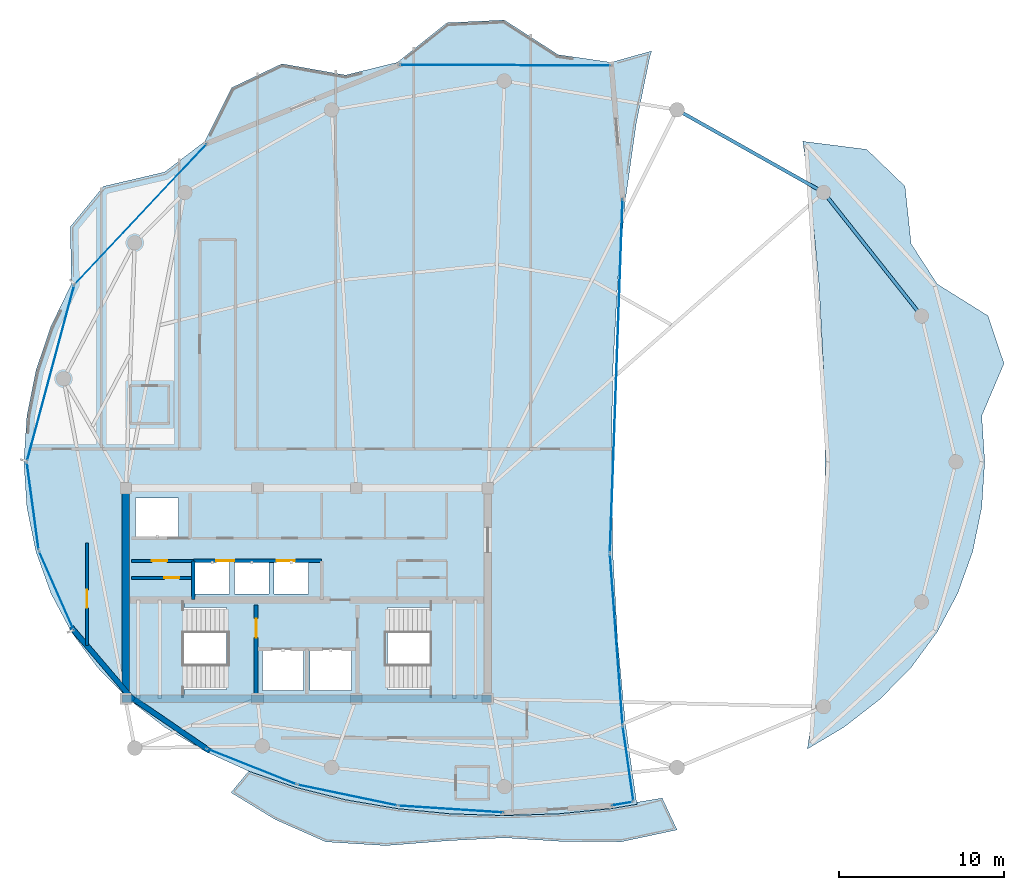
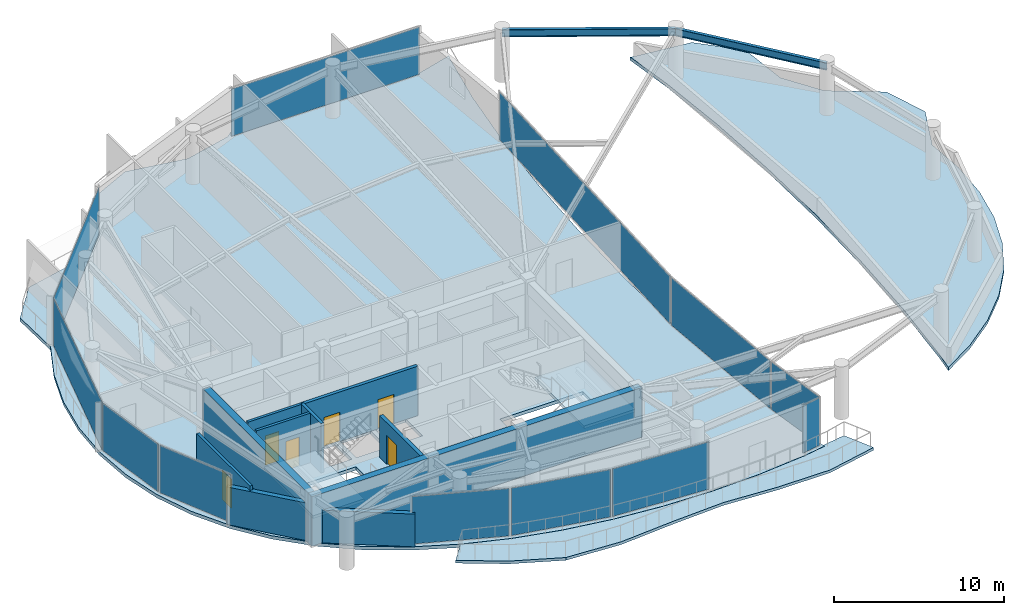
# One storey, part 18 of 23: 12 plates, 10 walls, 6 doors, 5 slabs, 2 beams, 6 openings, 14 elements without a shape of their own.
"""IFC4 building model written with IfcOpenShell, lengths in metres."""

from ifc_helpers import new_model, si_unit, direction, frame, frame_2d, origin, origin_2d, place, context, subcontext, project, spatial, polyline, rectangle, i_section, outline, extrude, material, layer, layer_set, material_profile, profile_set, type_object, element, fill, aggregate, save


model = new_model("IFC4")

# Units and contexts
model_context = context("Model", 3, precision=1e-05, world=origin(), true_north=direction((0.0, 1.0)))
body_context = subcontext(model_context, "Body", "Model", "MODEL_VIEW")
ifc_project = project(units=[si_unit("LENGTHUNIT", "METRE"), si_unit("AREAUNIT", "SQUARE_METRE"), si_unit("VOLUMEUNIT", "CUBIC_METRE"), si_unit("PLANEANGLEUNIT", "RADIAN"), si_unit("MASSUNIT", "GRAM", prefix="KILO")], contexts=[model_context])

# Site, building, storey
site_placement = place(None, origin())
site = spatial("IfcSite", under=ifc_project, at=site_placement, CompositionType="ELEMENT")
building_placement = place(site_placement, origin())
building = spatial("IfcBuilding", under=site, at=building_placement, Name="Kazevale Care Tower and Concert Hall", CompositionType="ELEMENT")
storey_placement = place(building_placement, frame((0.0, 0.0, 266.199951171875)))
storey = spatial("IfcBuildingStorey", under=building, at=storey_placement, Name="L70", CompositionType="ELEMENT", Elevation=266.199951171875)

# Beams
ifc_material_1 = material(Name="Steel ASTM A572 Gr 50", Category="steel")
ifc_material_profile = material_profile(ifc_material_1, i_section(OverallWidth=0.208984375, OverallDepth=0.532958984375, WebThickness=0.01025390625, FlangeThickness=0.015625, at=origin_2d()), Name="W530x92")
ifc_profile_set = profile_set([ifc_material_profile], Name="Steel ASTM A572 Gr 50")
beam_type = type_object("IfcBeamType", Name="Upper Ring Beam W530x92", PredefinedType="BEAM", material=ifc_profile_set)
beam_1_placement = place(storey_placement, frame((70.360107421875, 46.860107421875, 3.29345703125), z_axis=(-0.621008988522, 0.783803442308, 0.0), x_axis=(-0.783803442308, -0.621008988522, 0.0)))
element("IfcBeam", 1, at=beam_1_placement, inside=storey, type_object=beam_type, Name="beam:L70:ring:02", PredefinedType="BEAM", context=body_context, shape_type="SweptSolid", body=[
    extrude(i_section(OverallWidth=0.208984375, OverallDepth=0.532958984375, WebThickness=0.01025390625, FlangeThickness=0.015625, at=origin_2d()), origin(), (0.0, 0.0, 1.0), 9.58154296875),
])
beam_2_placement = place(storey_placement, frame((64.409912109375, 54.3701171875, 3.29345703125), z_axis=(-0.871243170179, 0.490851646035, 0.0), x_axis=(-0.490851646035, -0.871243170179, 0.0)))
element("IfcBeam", 2, at=beam_2_placement, inside=storey, type_object=beam_type, Name="beam:L70:ring:03", PredefinedType="BEAM", context=body_context, shape_type="SweptSolid", body=[
    extrude(i_section(OverallWidth=0.208984375, OverallDepth=0.532958984375, WebThickness=0.01025390625, FlangeThickness=0.015625, at=origin_2d()), origin(), (0.0, 0.0, 1.0), 10.2265625),
])

# Curtain wall, plate
ifc_material_2 = material(Name="Aluminium 6063-T6 and Low-E Glass", Category="aluminium")
ifc_layer_1 = layer(ifc_material_2, 0.179931640625)
ifc_layer_set_1 = layer_set([ifc_layer_1], Name="Aluminium 6063-T6 and Low-E Glass")
curtain_wall_type_1 = type_object("IfcCurtainWallType", Name="Convex Checkerboard Finned Curtain Wall CW-2", PredefinedType="NOTDEFINED", material=ifc_layer_set_1)
curtain_wall_1_placement = place(storey_placement, origin())
curtain_wall_1 = element("IfcCurtainWall", 3, at=curtain_wall_1_placement, inside=storey, type_object=curtain_wall_type_1, Name="cw:L70:f10", PredefinedType="NOTDEFINED")
ifc_material_3 = material(Name="Low-E Laminated Glass", Category="glass")
ifc_layer_2 = layer(ifc_material_3, 0.028076171875)
ifc_layer_set_2 = layer_set([ifc_layer_2], Name="Low-E Laminated Glass")
plate_type_1 = type_object("IfcPlateType", Name="CW-2 Low-E Glazing Panel 28mm", PredefinedType="CURTAIN_PANEL", material=ifc_layer_set_2)
plate_1_placement = place(storey_placement, frame((22.904541015625, 53.056884765625, 0.0751953125), z_axis=(0.0, 0.0, 1.0), x_axis=(0.684556549777, 0.728959758943, 0.0)))
plate_1 = element("IfcPlate", 4, at=plate_1_placement, type_object=plate_type_1, Name="CW-2 panel 1.1", PredefinedType="CURTAIN_PANEL", context=body_context, shape_type="SweptSolid", body=[
    extrude(rectangle(XDim=11.618408203125, YDim=0.028076171875, at=origin_2d()), origin(), (0.0, 0.0, 1.0), 3.409912109375),
])
aggregate(curtain_wall_1, [plate_1])

ifc_layer_3 = layer(ifc_material_2, 0.179931640625)
ifc_layer_set_3 = layer_set([ifc_layer_3], Name="Aluminium 6063-T6 and Low-E Glass")
curtain_wall_type_2 = type_object("IfcCurtainWallType", Name="Waist & Upper Residential Curtain Wall CW-4", PredefinedType="NOTDEFINED", material=ifc_layer_set_3)
curtain_wall_2_placement = place(storey_placement, origin())
curtain_wall_2 = element("IfcCurtainWall", 5, at=curtain_wall_2_placement, inside=storey, type_object=curtain_wall_type_2, Name="cw:L70:f07", PredefinedType="NOTDEFINED")
ifc_layer_4 = layer(ifc_material_3, 0.030029296875)
ifc_layer_set_4 = layer_set([ifc_layer_4], Name="Low-E Laminated Glass")
plate_type_2 = type_object("IfcPlateType", Name="CW-4 Low-E Glazing Panel 30mm", PredefinedType="CURTAIN_PANEL", material=ifc_layer_set_4)
plate_2_placement = place(storey_placement, frame((17.775390625, 30.175537109375, 0.080078125), z_axis=(0.0, 0.0, 1.0), x_axis=(-0.403598397488, 0.914936245618, 0.0)))
plate_2 = element("IfcPlate", 6, at=plate_2_placement, type_object=plate_type_2, Name="CW-4 panel 1.1", PredefinedType="CURTAIN_PANEL", context=body_context, shape_type="SweptSolid", body=[
    extrude(rectangle(XDim=5.139892578125, YDim=0.030029296875, at=origin_2d()), origin(), (0.0, 0.0, 1.0), 3.39990234375),
])
aggregate(curtain_wall_2, [plate_2])

curtain_wall_3_placement = place(storey_placement, origin())
curtain_wall_3 = element("IfcCurtainWall", 7, at=curtain_wall_3_placement, inside=storey, type_object=curtain_wall_type_2, Name="cw:L70:f08", PredefinedType="NOTDEFINED")
plate_3_placement = place(storey_placement, frame((16.343017578125, 35.300048828125, 0.080078125), z_axis=(0.0, 0.0, 1.0), x_axis=(-0.133245609751, 0.991083047722, 0.0)))
plate_3 = element("IfcPlate", 8, at=plate_3_placement, type_object=plate_type_2, Name="CW-4 panel 1.1", PredefinedType="CURTAIN_PANEL", context=body_context, shape_type="SweptSolid", body=[
    extrude(rectangle(XDim=5.28857421875, YDim=0.030029296875, at=origin_2d()), origin(), (0.0, 0.0, 1.0), 3.39990234375),
])
aggregate(curtain_wall_3, [plate_3])

curtain_wall_4_placement = place(storey_placement, origin())
curtain_wall_4 = element("IfcCurtainWall", 9, at=curtain_wall_4_placement, inside=storey, type_object=curtain_wall_type_2, Name="cw:L70:f09", PredefinedType="NOTDEFINED")
plate_4_placement = place(storey_placement, frame((17.426513671875, 43.382080078125, 0.080078125), z_axis=(0.0, 0.0, 1.0), x_axis=(0.259555175944, 0.965728279922, 0.0)))
plate_4 = element("IfcPlate", 10, at=plate_4_placement, type_object=plate_type_2, Name="CW-4 panel 1.1", PredefinedType="CURTAIN_PANEL", context=body_context, shape_type="SweptSolid", body=[
    extrude(rectangle(XDim=10.986083984375, YDim=0.030029296875, at=origin_2d()), origin(), (0.0, 0.0, 1.0), 3.39990234375),
])
aggregate(curtain_wall_4, [plate_4])

curtain_wall_5_placement = place(storey_placement, origin())
curtain_wall_5 = element("IfcCurtainWall", 11, at=curtain_wall_5_placement, inside=storey, type_object=curtain_wall_type_2, Name="cw:L70:f12", PredefinedType="NOTDEFINED")
plate_5_placement = place(storey_placement, frame((45.047119140625, 62.10107421875, 0.080078125), z_axis=(0.0, 0.0, 1.0), x_axis=(0.999999030415, -0.00139254081, 0.0)))
plate_5 = element("IfcPlate", 12, at=plate_5_placement, type_object=plate_type_2, Name="CW-4 panel 1.1", PredefinedType="CURTAIN_PANEL", context=body_context, shape_type="SweptSolid", body=[
    extrude(rectangle(XDim=12.76611328125, YDim=0.030029296875, at=origin_2d()), origin(), (0.0, 0.0, 1.0), 3.39990234375),
])
aggregate(curtain_wall_5, [plate_5])

curtain_wall_6_placement = place(storey_placement, origin())
curtain_wall_6 = element("IfcCurtainWall", 13, at=curtain_wall_6_placement, inside=storey, type_object=curtain_wall_type_2, Name="cw:L70:f14", PredefinedType="NOTDEFINED")
plate_6_placement = place(storey_placement, frame((51.805419921875, 43.22900390625, 0.080078125), z_axis=(0.0, 0.0, 1.0), x_axis=(-0.035790620226, -0.99935931051, 0.0)))
plate_6 = element("IfcPlate", 14, at=plate_6_placement, type_object=plate_type_2, Name="CW-4 panel 1.1", PredefinedType="CURTAIN_PANEL", context=body_context, shape_type="SweptSolid", body=[
    extrude(rectangle(XDim=21.437744140625, YDim=0.030029296875, at=origin_2d()), origin(), (0.0, 0.0, 1.0), 3.39990234375),
])
aggregate(curtain_wall_6, [plate_6])

ifc_layer_5 = layer(ifc_material_2, 0.179931640625)
ifc_layer_set_5 = layer_set([ifc_layer_5], Name="Aluminium 6063-T6 and Low-E Glass")
curtain_wall_type_3 = type_object("IfcCurtainWallType", Name="Sheltered Concave Balcony Curtain Wall CW-5", PredefinedType="NOTDEFINED", material=ifc_layer_set_5)
curtain_wall_7_placement = place(storey_placement, origin())
curtain_wall_7 = element("IfcCurtainWall", 15, at=curtain_wall_7_placement, inside=storey, type_object=curtain_wall_type_3, Name="cw:L70:f02", PredefinedType="NOTDEFINED")
ifc_layer_6 = layer(ifc_material_3, 0.02587890625)
ifc_layer_set_6 = layer_set([ifc_layer_6], Name="Low-E Laminated Glass")
plate_type_3 = type_object("IfcPlateType", Name="CW-5 Low-E Glazing Panel 26mm", PredefinedType="CURTAIN_PANEL", material=ifc_layer_set_6)
plate_7_placement = place(storey_placement, frame((41.762939453125, 16.89111328125, 0.0751953125), z_axis=(0.0, 0.0, 1.0), x_axis=(-0.997882281458, 0.065045771206, 0.0)))
plate_7 = element("IfcPlate", 16, at=plate_7_placement, type_object=plate_type_3, Name="CW-5 panel 1.1", PredefinedType="CURTAIN_PANEL", context=body_context, shape_type="SweptSolid", body=[
    extrude(rectangle(XDim=6.337646484375, YDim=0.02587890625, at=origin_2d()), origin(), (0.0, 0.0, 1.0), 3.409912109375),
])
aggregate(curtain_wall_7, [plate_7])

curtain_wall_8_placement = place(storey_placement, origin())
curtain_wall_8 = element("IfcCurtainWall", 17, at=curtain_wall_8_placement, inside=storey, type_object=curtain_wall_type_3, Name="cw:L70:f03", PredefinedType="NOTDEFINED")
plate_8_placement = place(storey_placement, frame((35.4541015625, 17.743896484375, 0.0751953125), z_axis=(0.0, 0.0, 1.0), x_axis=(-0.978852986472, 0.204564979592, 0.0)))
plate_8 = element("IfcPlate", 18, at=plate_8_placement, type_object=plate_type_3, Name="CW-5 panel 1.1", PredefinedType="CURTAIN_PANEL", context=body_context, shape_type="SweptSolid", body=[
    extrude(rectangle(XDim=6.126708984375, YDim=0.02587890625, at=origin_2d()), origin(), (0.0, 0.0, 1.0), 3.409912109375),
])
aggregate(curtain_wall_8, [plate_8])

curtain_wall_9_placement = place(storey_placement, origin())
curtain_wall_9 = element("IfcCurtainWall", 19, at=curtain_wall_9_placement, inside=storey, type_object=curtain_wall_type_3, Name="cw:L70:f04", PredefinedType="NOTDEFINED")
plate_9_placement = place(storey_placement, frame((29.6298828125, 19.48046875, 0.0751953125), z_axis=(0.0, 0.0, 1.0), x_axis=(-0.929208392028, 0.369556171894, 0.0)))
plate_9 = element("IfcPlate", 20, at=plate_9_placement, type_object=plate_type_3, Name="CW-5 panel 1.1", PredefinedType="CURTAIN_PANEL", context=body_context, shape_type="SweptSolid", body=[
    extrude(rectangle(XDim=5.7734375, YDim=0.02587890625, at=origin_2d()), origin(), (0.0, 0.0, 1.0), 3.409912109375),
])
aggregate(curtain_wall_9, [plate_9])

curtain_wall_10_placement = place(storey_placement, origin())
curtain_wall_10 = element("IfcCurtainWall", 21, at=curtain_wall_10_placement, inside=storey, type_object=curtain_wall_type_3, Name="cw:L70:f15", PredefinedType="NOTDEFINED")
plate_10_placement = place(storey_placement, frame((51.805419921875, 27.2080078125, 0.0751953125), z_axis=(0.0, 0.0, 1.0), x_axis=(0.07371361784, -0.997279450578, 0.0)))
plate_10 = element("IfcPlate", 22, at=plate_10_placement, type_object=plate_type_3, Name="CW-5 panel 1.1", PredefinedType="CURTAIN_PANEL", context=body_context, shape_type="SweptSolid", body=[
    extrude(rectangle(XDim=10.33642578125, YDim=0.02587890625, at=origin_2d()), origin(), (0.0, 0.0, 1.0), 3.409912109375),
])
aggregate(curtain_wall_10, [plate_10])

curtain_wall_11_placement = place(storey_placement, origin())
curtain_wall_11 = element("IfcCurtainWall", 23, at=curtain_wall_11_placement, inside=storey, type_object=curtain_wall_type_3, Name="cw:L70:f16", PredefinedType="NOTDEFINED")
plate_11_placement = place(storey_placement, frame((52.52392578125, 19.657470703125, 0.0751953125), z_axis=(0.0, 0.0, 1.0), x_axis=(0.141570600748, -0.989928161537, 0.0)))
plate_11 = element("IfcPlate", 24, at=plate_11_placement, type_object=plate_type_3, Name="CW-5 panel 1.1", PredefinedType="CURTAIN_PANEL", context=body_context, shape_type="SweptSolid", body=[
    extrude(rectangle(XDim=4.540283203125, YDim=0.02587890625, at=origin_2d()), origin(), (0.0, 0.0, 1.0), 3.409912109375),
])
aggregate(curtain_wall_11, [plate_11])

curtain_wall_12_placement = place(storey_placement, origin())
curtain_wall_12 = element("IfcCurtainWall", 25, at=curtain_wall_12_placement, inside=storey, type_object=curtain_wall_type_3, Name="cw:L70:f17", PredefinedType="NOTDEFINED")
plate_12_placement = place(storey_placement, frame((52.1650390625, 17.218994140625, 0.0751953125), z_axis=(0.0, 0.0, 1.0), x_axis=(-0.985966435781, -0.166943665686, 0.0)))
plate_12 = element("IfcPlate", 26, at=plate_12_placement, type_object=plate_type_3, Name="CW-5 panel 1.1", PredefinedType="CURTAIN_PANEL", context=body_context, shape_type="SweptSolid", body=[
    extrude(rectangle(XDim=1.251708984375, YDim=0.02587890625, at=origin_2d()), origin(), (0.0, 0.0, 1.0), 3.409912109375),
])
aggregate(curtain_wall_12, [plate_12])

# Slab
ifc_material_4 = material(Name="Concrete C40", Category="concrete")
ifc_layer_7 = layer(ifc_material_4, 0.199951171875)
ifc_layer_set_7 = layer_set([ifc_layer_7], Name="Concrete C40")
slab_type_1 = type_object("IfcSlabType", Name="Sinusoidal Concave Balcony Slab 200", PredefinedType="USERDEFINED", material=ifc_layer_set_7)
slab_1_placement = place(storey_placement, frame((0.0, 0.0, -0.199951171875)))
element("IfcSlab", 27, at=slab_1_placement, inside=storey, type_object=slab_type_1, Name="slab:L70:bal", ObjectType="BALCONY", PredefinedType="USERDEFINED", context=body_context, shape_type="SweptSolid", body=[
    extrude(outline(polyline([(54.593017578125, 17.56591796875), (55.501708984375, 15.630615234375), (52.119384765625, 14.906494140625), (48.5263671875, 14.923828125), (45.0, 15.149658203125), (41.4794921875, 14.96240234375), (37.80859375, 14.672607421875), (34.15625, 14.901611328125), (31.07861328125, 16.257568359375), (28.389892578125, 17.896240234375), (29.46142578125, 19.193115234375), (29.462890625, 19.192626953125), (32.3291015625, 18.208251953125), (35.35498046875, 17.452392578125), (38.501708984375, 16.918212890625), (41.730224609375, 16.6005859375), (45.0, 16.4951171875), (48.269775390625, 16.6005859375), (51.498291015625, 16.918212890625), (53.075439453125, 17.185791015625), (53.05126953125, 17.305908203125), (54.593017578125, 17.56591796875)])), origin(), (0.0, 0.0, 1.0), 0.199951171875),
])

# Stair, slab
stair_type = type_object("IfcStairType", Name="Exit Stair Assembly ST1-U", PredefinedType="HALF_TURN_STAIR", material=ifc_material_4)
stair_1_placement = place(storey_placement, origin())
stair_1 = element("IfcStair", 28, at=stair_1_placement, inside=storey, type_object=stair_type, Name="stair:L70:ST1", PredefinedType="HALF_TURN_STAIR")
ifc_layer_8 = layer(ifc_material_4, 0.199951171875)
ifc_layer_set_8 = layer_set([ifc_layer_8], Name="Concrete C40")
slab_type_2 = type_object("IfcSlabType", Name="Stair Half-Landing Slab ST1-U", PredefinedType="LANDING", material=ifc_layer_set_8)
slab_2_placement = place(storey_placement, frame((0.0, 0.0, 1.699951171875)))
slab_2 = element("IfcSlab", 29, at=slab_2_placement, type_object=slab_type_2, Name="ST1-U landing 1", PredefinedType="LANDING", context=body_context, shape_type="SweptSolid", body=[
    extrude(outline(polyline([(22.050048828125, 23.699951171875), (25.530029296875, 23.699951171875), (25.530029296875, 29.5), (22.050048828125, 29.5), (22.050048828125, 23.699951171875)])), origin(), (0.0, 0.0, 1.0), 0.2001953125),
])
aggregate(stair_1, [slab_2])

stair_2_placement = place(storey_placement, origin())
stair_2 = element("IfcStair", 30, at=stair_2_placement, inside=storey, type_object=stair_type, Name="stair:L70:ST2", PredefinedType="HALF_TURN_STAIR")
slab_3_placement = place(storey_placement, frame((0.0, 0.0, 1.699951171875)))
slab_3 = element("IfcSlab", 31, at=slab_3_placement, type_object=slab_type_2, Name="ST1-U landing 1", PredefinedType="LANDING", context=body_context, shape_type="SweptSolid", body=[
    extrude(outline(polyline([(40.469970703125, 23.699951171875), (43.949951171875, 23.699951171875), (43.949951171875, 29.5), (40.469970703125, 29.5), (40.469970703125, 23.699951171875)])), origin(), (0.0, 0.0, 1.0), 0.2001953125),
])
aggregate(stair_2, [slab_3])

# Slabs
ifc_layer_9 = layer(ifc_material_4, 0.239990234375)
ifc_layer_set_9 = layer_set([ifc_layer_9], Name="Concrete C40")
slab_type_3 = type_object("IfcSlabType", Name="Tower Typical Floor Slab 240", PredefinedType="FLOOR", material=ifc_layer_set_9)
slab_4_placement = place(storey_placement, frame((0.0, 0.0, -0.239990234375)))
element("IfcSlab", 32, at=slab_4_placement, inside=storey, type_object=slab_type_3, Name="slab:L70:tw:1", PredefinedType="FLOOR", context=body_context, shape_type="SweptSolid", body=[
    extrude(outline(polyline([(51.49755859375, 16.92333984375), (48.269287109375, 16.60546875), (45.0, 16.5), (41.730712890625, 16.60546875), (38.50244140625, 16.92333984375), (35.35595703125, 17.457275390625), (32.33056640625, 18.212890625), (29.464599609375, 19.197265625), (26.794189453125, 20.415771484375), (24.3525390625, 21.873046875), (22.17041015625, 23.569091796875), (20.275634765625, 25.5), (18.691650390625, 27.654541015625), (17.438720703125, 30.01416015625), (16.531982421875, 32.551513671875), (15.983642578125, 35.229736328125), (15.800048828125, 38.0), (15.983642578125, 40.787841796875), (16.531982421875, 43.540771484375), (17.438720703125, 46.223876953125), (18.691650390625, 48.8037109375), (18.62451171875, 52.28515625), (20.64599609375, 54.74072265625), (24.3525390625, 55.60693359375), (26.794189453125, 57.467529296875), (28.42724609375, 60.734619140625), (31.484619140625, 62.19091796875), (35.35595703125, 61.502685546875), (38.50244140625, 62.275634765625), (41.51220703125, 64.68115234375), (45.0, 64.85009765625), (48.269287109375, 62.743408203125), (51.49755859375, 62.275634765625), (53.95361328125, 62.96728515625), (53.822021484375, 62.513427734375), (53.020751953125, 58.569091796875), (52.370849609375, 54.0), (51.89208984375, 48.944580078125), (51.5986328125, 43.556640625), (51.5, 38.0), (51.5986328125, 32.443359375), (51.89208984375, 27.055419921875), (52.370849609375, 22.0), (53.020751953125, 17.430908203125), (53.069580078125, 17.18994140625), (51.49755859375, 16.92333984375)]), holes=[polyline([(22.449951171875, 24.14990234375), (28.110107421875, 24.14990234375), (28.110107421875, 29.14990234375), (22.449951171875, 29.14990234375), (22.449951171875, 24.14990234375)]), polyline([(37.889892578125, 24.14990234375), (43.550048828125, 24.14990234375), (43.550048828125, 29.14990234375), (37.889892578125, 29.14990234375), (37.889892578125, 24.14990234375)]), polyline([(30.300048828125, 24.10009765625), (32.800048828125, 24.10009765625), (32.800048828125, 26.60009765625), (30.300048828125, 26.60009765625), (30.300048828125, 24.10009765625)]), polyline([(33.199951171875, 24.10009765625), (35.699951171875, 24.10009765625), (35.699951171875, 26.60009765625), (33.199951171875, 26.60009765625), (33.199951171875, 24.10009765625)]), polyline([(22.60009765625, 33.39990234375), (25.199951171875, 33.39990234375), (25.199951171875, 35.800048828125), (22.60009765625, 35.800048828125), (22.60009765625, 33.39990234375)]), polyline([(26.199951171875, 29.949951171875), (28.300048828125, 29.949951171875), (28.300048828125, 31.949951171875), (26.199951171875, 31.949951171875), (26.199951171875, 29.949951171875)]), polyline([(28.60009765625, 29.949951171875), (30.699951171875, 29.949951171875), (30.699951171875, 31.949951171875), (28.60009765625, 31.949951171875), (28.60009765625, 29.949951171875)]), polyline([(31.0, 29.949951171875), (33.10009765625, 29.949951171875), (33.10009765625, 31.949951171875), (31.0, 31.949951171875), (31.0, 29.949951171875)])]), origin(), (0.0, 0.0, 1.0), 0.239990234375),
])
slab_5_placement = place(storey_placement, frame((0.0, 0.0, -0.239990234375)))
element("IfcSlab", 33, at=slab_5_placement, inside=storey, type_object=slab_type_3, Name="slab:L70:tw:2", PredefinedType="FLOOR", context=body_context, shape_type="SweptSolid", body=[
    extrude(outline(polyline([(63.205810546875, 57.467529296875), (67.0263671875, 56.98583984375), (69.35400390625, 54.74072265625), (69.724365234375, 51.24755859375), (71.308349609375, 48.8037109375), (74.402099609375, 46.867919921875), (75.368896484375, 43.974609375), (74.016357421875, 40.787841796875), (74.199951171875, 38.0), (74.016357421875, 35.229736328125), (73.468017578125, 32.551513671875), (72.561279296875, 30.01416015625), (71.308349609375, 27.654541015625), (69.724365234375, 25.5), (67.82958984375, 23.569091796875), (65.6474609375, 21.873046875), (63.422119140625, 20.544921875), (63.629150390625, 22.0), (64.10791015625, 27.055419921875), (64.4013671875, 32.443359375), (64.5, 38.0), (64.4013671875, 43.556640625), (64.10791015625, 48.944580078125), (63.629150390625, 54.0), (63.12939453125, 57.513916015625), (63.205810546875, 57.467529296875)])), origin(), (0.0, 0.0, 1.0), 0.239990234375),
])

# Walls
ifc_material_5 = material(Name="Concrete C50", Category="concrete")
ifc_layer_10 = layer(ifc_material_5, 0.449951171875)
ifc_layer_set_10 = layer_set([ifc_layer_10], Name="Concrete C50")
wall_type_1 = type_object("IfcWallType", Name="Core Shear Wall 450 C50", PredefinedType="SHEAR", material=ifc_layer_set_10)
wall_1_placement = place(storey_placement, frame((21.77490234375, 23.60009765625, 0.0), z_axis=(0.0, 0.0, 1.0), x_axis=(1.0, 0.0, 0.0)))
element("IfcWall", 34, at=wall_1_placement, inside=storey, type_object=wall_type_1, Name="wall:L70:core:S", PredefinedType="SHEAR", context=body_context, shape_type="SweptSolid", body=[
    extrude(rectangle(XDim=22.4501953125, YDim=0.449951171875, at=frame_2d((11.22509765625, 0.0))), origin(), (0.0, 0.0, 1.0), 3.56005859375),
])
wall_2_placement = place(storey_placement, frame((22.0, 23.824951171875, 0.0), z_axis=(0.0, 0.0, 1.0), x_axis=(0.0, 1.0, 0.0)))
element("IfcWall", 35, at=wall_2_placement, inside=storey, type_object=wall_type_1, Name="wall:L70:core:W", PredefinedType="SHEAR", context=body_context, shape_type="SweptSolid", body=[
    extrude(rectangle(XDim=12.35009765625, YDim=0.449951171875, at=frame_2d((6.175048828125, 0.0))), origin(), (0.0, 0.0, 1.0), 3.56005859375),
])
ifc_layer_11 = layer(ifc_material_4, 0.219970703125)
ifc_layer_set_11 = layer_set([ifc_layer_11], Name="Concrete C40")
wall_type_2 = type_object("IfcWallType", Name="Elevator Hoistway Shaft Wall 220", PredefinedType="SOLIDWALL", material=ifc_layer_set_11)
wall_3_placement = place(storey_placement, frame((26.10009765625, 29.6201171875, 0.0), z_axis=(0.0, 0.0, 1.0), x_axis=(0.0, 1.0, 0.0)))
element("IfcWall", 36, at=wall_3_placement, inside=storey, type_object=wall_type_2, Name="wall:L70:c_ph_w", PredefinedType="SOLIDWALL", context=body_context, shape_type="SweptSolid", body=[
    extrude(rectangle(XDim=2.35986328125, YDim=0.219970703125, at=frame_2d((1.179931640625, 0.0))), origin(), (0.0, 0.0, 1.0), 3.56005859375),
])

# Wall, openings, doors
wall_4_placement = place(storey_placement, frame((26.10009765625, 31.97998046875, 0.0), z_axis=(0.0, 0.0, 1.0), x_axis=(1.0, 0.0, 0.0)))
wall_4 = element("IfcWall", 37, at=wall_4_placement, inside=storey, type_object=wall_type_2, Name="wall:L70:c_ph_n", PredefinedType="SOLIDWALL", context=body_context, shape_type="SweptSolid", body=[
    extrude(rectangle(XDim=7.7998046875, YDim=0.219970703125, at=frame_2d((3.89990234375, 0.0))), origin(), (0.0, 0.0, 1.0), 3.56005859375),
])
opening_1_placement = place(wall_4_placement, frame((1.39990234375, 0.0, 0.0)))
opening_1 = element("IfcOpeningElement", 38, at=opening_1_placement, cuts=wall_4, Name="Opening LD-PAX", PredefinedType="OPENING", context=body_context, shape_type="SweptSolid", body=[
    extrude(rectangle(XDim=1.10009765625, YDim=2.10009765625, at=frame_2d((0.550048828125, 1.050048828125))), frame((0.0, 0.119873046875, 0.0), z_axis=(0.0, -1.0, 0.0), x_axis=(1.0, 0.0, 0.0)), (0.0, 0.0, 1.0), 0.239990234375),
])
opening_2_placement = place(wall_4_placement, frame((5.06591796875, 0.0, 0.0)))
opening_2 = element("IfcOpeningElement", 39, at=opening_2_placement, cuts=wall_4, Name="Opening LD-PAX", PredefinedType="OPENING", context=body_context, shape_type="SweptSolid", body=[
    extrude(rectangle(XDim=1.10009765625, YDim=2.10009765625, at=frame_2d((0.550048828125, 1.050048828125))), frame((0.0, 0.119873046875, 0.0), z_axis=(0.0, -1.0, 0.0), x_axis=(1.0, 0.0, 0.0)), (0.0, 0.0, 1.0), 0.239990234375),
])
ifc_material_6 = material(Name="Stainless Steel 316", Category="steel")
door_type_1 = type_object("IfcDoorType", Name="Passenger Lift Sliding Landing Door 1100x2100", OperationType="NOTDEFINED", PredefinedType="DOOR", material=ifc_material_6)
door_1_placement = place(opening_1_placement, origin())
door_1 = element("IfcDoor", 40, at=door_1_placement, inside=storey, type_object=door_type_1, Name="door:L70:ld_ph1", OperationType="SLIDING_TO_LEFT", OverallHeight=2.10009765625, OverallWidth=1.10009765625, PredefinedType="DOOR", context=body_context, shape_type="SweptSolid", body=[
    extrude(rectangle(XDim=1.10009765625, YDim=2.10009765625, at=frame_2d((0.550048828125, 1.050048828125))), frame((0.0, 0.02490234375, 0.0), z_axis=(0.0, -1.0, 0.0), x_axis=(1.0, 0.0, 0.0)), (0.0, 0.0, 1.0), 0.050048828125),
])
fill(opening_1, door_1)
door_2_placement = place(opening_2_placement, origin())
door_2 = element("IfcDoor", 41, at=door_2_placement, inside=storey, type_object=door_type_1, Name="door:L70:ld_ph2", OperationType="SLIDING_TO_RIGHT", OverallHeight=2.10009765625, OverallWidth=1.10009765625, PredefinedType="DOOR", context=body_context, shape_type="SweptSolid", body=[
    extrude(rectangle(XDim=1.10009765625, YDim=2.10009765625, at=frame_2d((0.550048828125, 1.050048828125))), frame((0.0, 0.02490234375, 0.0), z_axis=(0.0, -1.0, 0.0), x_axis=(1.0, 0.0, 0.0)), (0.0, 0.0, 1.0), 0.050048828125),
])
fill(opening_2, door_2)

# Wall, opening, door
ifc_material_7 = material(Name="Concrete C40 and Acoustic Gypsum", Category="concrete")
ifc_layer_12 = layer(ifc_material_7, 0.179931640625)
ifc_layer_set_12 = layer_set([ifc_layer_12], Name="Concrete C40 and Acoustic Gypsum")
wall_type_3 = type_object("IfcWallType", Name="Fire-Rated Corridor & Party Wall 180", PredefinedType="PARTITIONING", material=ifc_layer_set_12)
wall_5_placement = place(storey_placement, frame((22.35009765625, 30.949951171875, 0.0), z_axis=(0.0, 0.0, 1.0), x_axis=(1.0, 0.0, 0.0)))
wall_5 = element("IfcWall", 42, at=wall_5_placement, inside=storey, type_object=wall_type_3, Name="wall:L70:kc_wm", PredefinedType="PARTITIONING", context=body_context, shape_type="SweptSolid", body=[
    extrude(rectangle(XDim=3.75, YDim=0.179931640625, at=frame_2d((1.875, 0.0))), origin(), (0.0, 0.0, 1.0), 3.56005859375),
])
opening_3_placement = place(wall_5_placement, frame((1.988037109375, 0.0, 0.0)))
opening_3 = element("IfcOpeningElement", 43, at=opening_3_placement, cuts=wall_5, Name="Opening ID-900", PredefinedType="OPENING", context=body_context, shape_type="SweptSolid", body=[
    extrude(rectangle(XDim=0.919921875, YDim=2.10009765625, at=frame_2d((0.4599609375, 1.050048828125))), frame((0.0, 0.099853515625, 0.0), z_axis=(0.0, -1.0, 0.0), x_axis=(1.0, 0.0, 0.0)), (0.0, 0.0, 1.0), 0.199951171875),
])
ifc_material_8 = material(Name="Oak Timber Fire Leaf", Category="wood")
door_type_2 = type_object("IfcDoorType", Name="Bathroom & Service Door 920x2100", OperationType="NOTDEFINED", PredefinedType="DOOR", material=ifc_material_8)
door_3_placement = place(opening_3_placement, origin())
door_3 = element("IfcDoor", 44, at=door_3_placement, inside=storey, type_object=door_type_2, Name="door:L70:d_kcwb", OperationType="SINGLE_SWING_RIGHT", OverallHeight=2.10009765625, OverallWidth=0.919921875, PredefinedType="DOOR", context=body_context, shape_type="SweptSolid", body=[
    extrude(rectangle(XDim=0.919921875, YDim=2.10009765625, at=frame_2d((0.4599609375, 1.050048828125))), frame((0.0, 0.02490234375, 0.0), z_axis=(0.0, -1.0, 0.0), x_axis=(1.0, 0.0, 0.0)), (0.0, 0.0, 1.0), 0.050048828125),
])
fill(opening_3, door_3)

wall_6_placement = place(storey_placement, frame((22.35009765625, 31.97998046875, 0.0), z_axis=(0.0, 0.0, 1.0), x_axis=(1.0, 0.0, 0.0)))
wall_6 = element("IfcWall", 45, at=wall_6_placement, inside=storey, type_object=wall_type_3, Name="wall:L70:kc_wn", PredefinedType="PARTITIONING", context=body_context, shape_type="SweptSolid", body=[
    extrude(rectangle(XDim=3.75, YDim=0.179931640625, at=frame_2d((1.875, 0.0))), origin(), (0.0, 0.0, 1.0), 3.56005859375),
])
opening_4_placement = place(wall_6_placement, frame((1.238037109375, 0.0, 0.0)))
opening_4 = element("IfcOpeningElement", 46, at=opening_4_placement, cuts=wall_6, Name="Opening ID-900", PredefinedType="OPENING", context=body_context, shape_type="SweptSolid", body=[
    extrude(rectangle(XDim=0.919921875, YDim=2.10009765625, at=frame_2d((0.4599609375, 1.050048828125))), frame((0.0, 0.099853515625, 0.0), z_axis=(0.0, -1.0, 0.0), x_axis=(1.0, 0.0, 0.0)), (0.0, 0.0, 1.0), 0.199951171875),
])
door_4_placement = place(opening_4_placement, origin())
door_4 = element("IfcDoor", 47, at=door_4_placement, inside=storey, type_object=door_type_2, Name="door:L70:d_kcwt", OperationType="SINGLE_SWING_LEFT", OverallHeight=2.10009765625, OverallWidth=0.919921875, PredefinedType="DOOR", context=body_context, shape_type="SweptSolid", body=[
    extrude(rectangle(XDim=0.919921875, YDim=2.10009765625, at=frame_2d((0.4599609375, 1.050048828125))), frame((0.0, 0.02490234375, 0.0), z_axis=(0.0, -1.0, 0.0), x_axis=(1.0, 0.0, 0.0)), (0.0, 0.0, 1.0), 0.050048828125),
])
fill(opening_4, door_4)

wall_7_placement = place(storey_placement, frame((19.645263671875, 26.82080078125, 0.0), z_axis=(0.0, 0.0, 1.0), x_axis=(-0.003245212815, 0.999994734283, 0.0)))
wall_7 = element("IfcWall", 48, at=wall_7_placement, inside=storey, type_object=wall_type_3, Name="wall:L70:auto_015", PredefinedType="PARTITIONING", context=body_context, shape_type="SweptSolid", body=[
    extrude(rectangle(XDim=6.244140625, YDim=0.179931640625, at=frame_2d((3.1220703125, 0.0))), origin(), (0.0, 0.0, 1.0), 3.01708984375),
])
opening_5_placement = place(wall_7_placement, frame((2.302001953125, 0.0, 0.0)))
opening_5 = element("IfcOpeningElement", 49, at=opening_5_placement, cuts=wall_7, Name="Opening ID-1100", PredefinedType="OPENING", context=body_context, shape_type="SweptSolid", body=[
    extrude(rectangle(XDim=1.10009765625, YDim=2.10009765625, at=frame_2d((0.550048828125, 1.050048828125))), frame((0.0, 0.099853515625, 0.0), z_axis=(0.0, -1.0, 0.0), x_axis=(1.0, 0.0, 0.0)), (0.0, 0.0, 1.0), 0.199951171875),
])
door_type_3 = type_object("IfcDoorType", Name="Care Bedroom Accessible Door 1100x2100", OperationType="NOTDEFINED", PredefinedType="DOOR", material=ifc_material_8)
door_5_placement = place(opening_5_placement, origin())
door_5 = element("IfcDoor", 50, at=door_5_placement, inside=storey, type_object=door_type_3, Name="door:L70:ad_015", OperationType="SINGLE_SWING_LEFT", OverallHeight=2.10009765625, OverallWidth=1.10009765625, PredefinedType="DOOR", context=body_context, shape_type="SweptSolid", body=[
    extrude(rectangle(XDim=1.10009765625, YDim=2.10009765625, at=frame_2d((0.550048828125, 1.050048828125))), frame((0.0, 0.02490234375, 0.0), z_axis=(0.0, -1.0, 0.0), x_axis=(1.0, 0.0, 0.0)), (0.0, 0.0, 1.0), 0.050048828125),
])
fill(opening_5, door_5)

ifc_layer_13 = layer(ifc_material_4, 0.25)
ifc_layer_set_13 = layer_set([ifc_layer_13], Name="Concrete C40")
wall_type_4 = type_object("IfcWallType", Name="Pressurized Stair Shaft Wall 250", PredefinedType="SOLIDWALL", material=ifc_layer_set_13)
wall_8_placement = place(storey_placement, frame((29.919921875, 23.89990234375, 0.0), z_axis=(0.0, 0.0, 1.0), x_axis=(0.0, 1.0, 0.0)))
wall_8 = element("IfcWall", 51, at=wall_8_placement, inside=storey, type_object=wall_type_4, Name="wall:L70:c_st1_e", PredefinedType="SOLIDWALL", context=body_context, shape_type="SweptSolid", body=[
    extrude(rectangle(XDim=5.400146484375, YDim=0.25, at=frame_2d((2.7001953125, 0.0))), origin(), (0.0, 0.0, 1.0), 3.006103515625),
])
opening_6_placement = place(wall_8_placement, frame((3.4208984375, 0.0, 0.0)))
opening_6 = element("IfcOpeningElement", 52, at=opening_6_placement, cuts=wall_8, Name="Opening FD-90", PredefinedType="OPENING", context=body_context, shape_type="SweptSolid", body=[
    extrude(rectangle(XDim=1.14990234375, YDim=2.10009765625, at=frame_2d((0.574951171875, 1.050048828125))), frame((0.0, 0.135009765625, 0.0), z_axis=(0.0, -1.0, 0.0), x_axis=(1.0, 0.0, 0.0)), (0.0, 0.0, 1.0), 0.27001953125),
])
door_type_4 = type_object("IfcDoorType", Name="Pressurized Stair & Lobby Fire Door 1150x2100", OperationType="NOTDEFINED", PredefinedType="DOOR", material=ifc_material_1)
door_6_placement = place(opening_6_placement, origin())
door_6 = element("IfcDoor", 53, at=door_6_placement, inside=storey, type_object=door_type_4, Name="door:L70:st1", OperationType="SINGLE_SWING_RIGHT", OverallHeight=2.10009765625, OverallWidth=1.14990234375, PredefinedType="DOOR", context=body_context, shape_type="SweptSolid", body=[
    extrude(rectangle(XDim=1.14990234375, YDim=2.10009765625, at=frame_2d((0.574951171875, 1.050048828125))), frame((0.0, 0.02490234375, 0.0), z_axis=(0.0, -1.0, 0.0), x_axis=(1.0, 0.0, 0.0)), (0.0, 0.0, 1.0), 0.050048828125),
])
fill(opening_6, door_6)

# Walls
ifc_material_9 = material(Name="Concrete C40 with Honed Limestone Cladding", Category="masonry")
ifc_layer_14 = layer(ifc_material_9, 0.320068359375)
ifc_layer_set_14 = layer_set([ifc_layer_14], Name="Concrete C40 with Honed Limestone Cladding")
wall_type_5 = type_object("IfcWallType", Name="Tower Honed Limestone Spandrel Wall 320", PredefinedType="STANDARD", material=ifc_layer_set_14)
wall_9_placement = place(storey_placement, frame((27.093017578125, 20.427978515625, 0.0), z_axis=(0.0, 0.0, 1.0), x_axis=(-0.826047009588, 0.563601222454, 0.0)))
element("IfcWall", 54, at=wall_9_placement, inside=storey, type_object=wall_type_5, Name="wall:cw:L70:f05", PredefinedType="STANDARD", context=body_context, shape_type="SweptSolid", body=[
    extrude(rectangle(XDim=6.07373046875, YDim=0.320068359375, at=frame_2d((3.036865234375, 0.0))), origin(), (0.0, 0.0, 1.0), 2.35009765625),
])
wall_10_placement = place(storey_placement, frame((22.4599609375, 23.506103515625, 0.0), z_axis=(0.0, 0.0, 1.0), x_axis=(-0.648393724369, 0.761305180725, 0.0)))
element("IfcWall", 55, at=wall_10_placement, inside=storey, type_object=wall_type_5, Name="wall:cw:L70:f06", PredefinedType="STANDARD", context=body_context, shape_type="SweptSolid", body=[
    extrude(rectangle(XDim=5.8359375, YDim=0.320068359375, at=frame_2d((2.91796875, 0.0))), origin(), (0.0, 0.0, 1.0), 2.699951171875),
])

save(model, "model.ifc")
